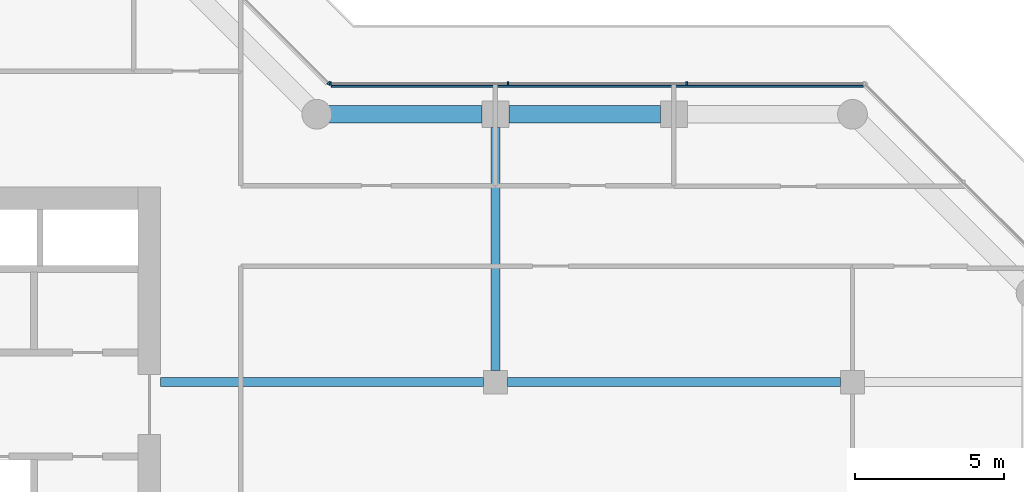
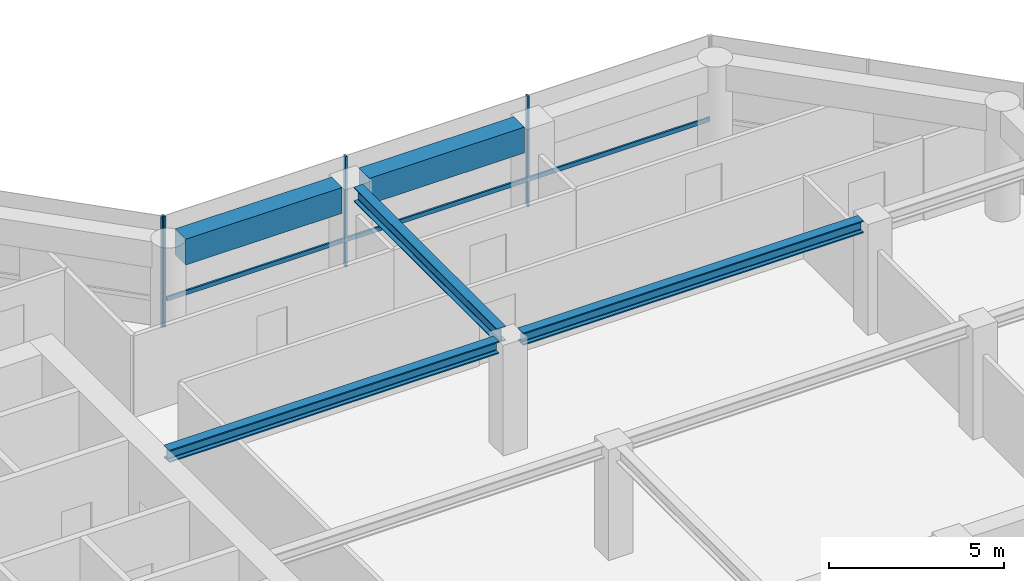
# One storey, part 8 of 24: 5 beams, 5 members, 2 elements without a shape of their own.
"""IFC4 building model written with IfcOpenShell, lengths in metres."""

from ifc_helpers import new_model, si_unit, direction, frame, origin, origin_2d, place, context, subcontext, project, spatial, rectangle, i_section, extrude, material, layer, layer_set, material_profile, profile_set, type_object, element, aggregate, save


model = new_model("IFC4")

# Units and contexts
model_context = context("Model", 3, precision=1e-05, world=origin(), true_north=direction((0.0, 1.0)))
body_context = subcontext(model_context, "Body", "Model", "MODEL_VIEW")
ifc_project = project(units=[si_unit("LENGTHUNIT", "METRE"), si_unit("AREAUNIT", "SQUARE_METRE"), si_unit("VOLUMEUNIT", "CUBIC_METRE"), si_unit("PLANEANGLEUNIT", "RADIAN"), si_unit("MASSUNIT", "GRAM", prefix="KILO")], contexts=[model_context])

# Site, building, storey
site_placement = place(None, origin())
site = spatial("IfcSite", under=ifc_project, at=site_placement, CompositionType="ELEMENT")
building_placement = place(site_placement, origin())
building = spatial("IfcBuilding", under=site, at=building_placement, Name="Welwitschia Terrace Campus", CompositionType="ELEMENT")
storey_placement = place(building_placement, frame((0.0, 0.0, 125.60009765625)))
storey = spatial("IfcBuildingStorey", under=building, at=storey_placement, Name="L28", CompositionType="ELEMENT", Elevation=125.60009765625)

# Beams
ifc_material_1 = material(Name="Steel S355", Category="steel")
ifc_material_profile_1 = material_profile(ifc_material_1, i_section(OverallWidth=0.306884765625, OverallDepth=0.431884765625, WebThickness=0.02099609375, FlangeThickness=0.0400390625, FilletRadius=0.027099609375, at=origin_2d()))
ifc_profile_set_1 = profile_set([ifc_material_profile_1], Name="Steel S355")
beam_type_1 = type_object("IfcBeamType", Name="Interior girder HE 400 M", PredefinedType="BEAM", material=ifc_profile_set_1)
beam_1_placement = place(storey_placement, frame((24.7509765625, 19.0, 3.6337890625), z_axis=(1.0, 0.0, 0.0), x_axis=(0.0, 1.0, 0.0)))
element("IfcBeam", 1, at=beam_1_placement, inside=storey, type_object=beam_type_1, Name="Girder GB3", PredefinedType="BEAM", context=body_context, shape_type="SweptSolid", body=[
    extrude(i_section(OverallWidth=0.306884765625, OverallDepth=0.431884765625, WebThickness=0.02099609375, FlangeThickness=0.0400390625, FilletRadius=0.027099609375, at=origin_2d()), origin(), (0.0, 0.0, 1.0), 10.8486328125),
])
beam_2_placement = place(storey_placement, frame((36.400390625, 19.0, 3.6337890625), z_axis=(1.0, 0.0, 0.0), x_axis=(0.0, 1.0, 0.0)))
element("IfcBeam", 2, at=beam_2_placement, inside=storey, type_object=beam_type_1, Name="Girder GB3", PredefinedType="BEAM", context=body_context, shape_type="SweptSolid", body=[
    extrude(i_section(OverallWidth=0.306884765625, OverallDepth=0.431884765625, WebThickness=0.02099609375, FlangeThickness=0.0400390625, FilletRadius=0.027099609375, at=origin_2d()), origin(), (0.0, 0.0, 1.0), 11.19921875),
])

# Curtain wall, members
ifc_material_2 = material(Name="Bronze anodised aluminium", Category="aluminium")
ifc_layer = layer(ifc_material_2, 0.1201171875)
ifc_layer_set = layer_set([ifc_layer], Name="Bronze anodised aluminium")
curtain_wall_type = type_object("IfcCurtainWallType", Name="Curtain wall CW2 tower 6000", PredefinedType="NOTDEFINED", material=ifc_layer_set)
curtain_wall_1_placement = place(storey_placement, origin())
curtain_wall_1 = element("IfcCurtainWall", 3, at=curtain_wall_1_placement, inside=storey, type_object=curtain_wall_type, Name="CW L28.8.0", PredefinedType="NOTDEFINED")
ifc_material_3 = material(Name="Bronze anodised aluminium", Category="aluminium")
ifc_material_profile_2 = material_profile(ifc_material_3, rectangle(XDim=0.1201171875, YDim=0.06005859375, at=origin_2d()))
ifc_profile_set_2 = profile_set([ifc_material_profile_2], Name="Bronze anodised aluminium")
member_type_1 = type_object("IfcMemberType", Name="Mullion 60x120", PredefinedType="MULLION", material=ifc_profile_set_2)
member_1_placement = place(storey_placement, frame((42.4267578125, 29.030029296875, 0.0), z_axis=(0.0, 0.0, 1.0), x_axis=(0.0, -1.0, 0.0)))
member_1 = element("IfcMember", 4, at=member_1_placement, type_object=member_type_1, Name="Mullion L28.8.0.1", PredefinedType="MULLION", context=body_context, shape_type="SweptSolid", body=[
    extrude(rectangle(XDim=0.1201171875, YDim=0.06005859375, at=origin_2d()), origin(), (0.0, 0.0, 1.0), 3.849853515625),
])
member_2_placement = place(storey_placement, frame((36.4267578125, 29.030029296875, 0.0), z_axis=(0.0, 0.0, 1.0), x_axis=(0.0, -1.0, 0.0)))
member_2 = element("IfcMember", 5, at=member_2_placement, type_object=member_type_1, Name="Mullion L28.8.0.2", PredefinedType="MULLION", context=body_context, shape_type="SweptSolid", body=[
    extrude(rectangle(XDim=0.1201171875, YDim=0.06005859375, at=origin_2d()), origin(), (0.0, 0.0, 1.0), 3.849853515625),
])
member_3_placement = place(storey_placement, frame((30.45654296875, 29.030029296875, 0.0), z_axis=(0.0, 0.0, 1.0), x_axis=(0.0, -1.0, 0.0)))
member_3 = element("IfcMember", 6, at=member_3_placement, type_object=member_type_1, Name="Mullion L28.8.0.3", PredefinedType="MULLION", context=body_context, shape_type="SweptSolid", body=[
    extrude(rectangle(XDim=0.1201171875, YDim=0.06005859375, at=origin_2d()), origin(), (0.0, 0.0, 1.0), 3.849853515625),
])

# Curtain wall, member
curtain_wall_2_placement = place(storey_placement, origin())
curtain_wall_2 = element("IfcCurtainWall", 7, at=curtain_wall_2_placement, inside=storey, type_object=curtain_wall_type, Name="CW L28.9.0", PredefinedType="NOTDEFINED")
member_4_placement = place(storey_placement, frame((30.405517578125, 29.05126953125, 0.0), z_axis=(0.0, 0.0, 1.0), x_axis=(-0.707106781187, -0.707106781187, 0.0)))
member_4 = element("IfcMember", 8, at=member_4_placement, type_object=member_type_1, Name="Mullion L28.9.0.0", PredefinedType="MULLION", context=body_context, shape_type="SweptSolid", body=[
    extrude(rectangle(XDim=0.1201171875, YDim=0.06005859375, at=origin_2d()), origin(), (0.0, 0.0, 1.0), 3.849853515625),
])
aggregate(curtain_wall_2, [member_4])

# Beams
ifc_material_4 = material(Name="Steel S355", Category="steel")
ifc_material_profile_3 = material_profile(ifc_material_4, i_section(OverallWidth=0.300048828125, OverallDepth=0.5, WebThickness=0.014404296875, FlangeThickness=0.028076171875, FilletRadius=0.027099609375, at=origin_2d()))
ifc_profile_set_3 = profile_set([ifc_material_profile_3], Name="Steel S355")
beam_type_2 = type_object("IfcBeamType", Name="Primary beam HE 500 B", PredefinedType="BEAM", material=ifc_profile_set_3)
beam_3_placement = place(storey_placement, frame((36.0, 27.549560546875, 3.599853515625), z_axis=(0.0, -1.0, 0.0), x_axis=(1.0, 0.0, 0.0)))
element("IfcBeam", 9, at=beam_3_placement, inside=storey, type_object=beam_type_2, Name="Primary beam PB3", PredefinedType="BEAM", context=body_context, shape_type="SweptSolid", body=[
    extrude(i_section(OverallWidth=0.300048828125, OverallDepth=0.5, WebThickness=0.014404296875, FlangeThickness=0.028076171875, FilletRadius=0.027099609375, at=origin_2d()), origin(), (0.0, 0.0, 1.0), 8.149169921875),
])
ifc_material_5 = material(Name="Concrete C60/75", Category="concrete")
ifc_material_profile_4 = material_profile(ifc_material_5, rectangle(XDim=0.60009765625, YDim=0.89990234375, at=origin_2d()))
ifc_profile_set_4 = profile_set([ifc_material_profile_4], Name="Concrete C60/75")
beam_type_3 = type_object("IfcBeamType", Name="Ring spandrel 600x900", PredefinedType="SPANDREL", material=ifc_profile_set_4)
beam_4_placement = place(storey_placement, frame((41.549560546875, 28.0, 3.39990234375), z_axis=(-1.0, 0.0, 0.0), x_axis=(0.0, -1.0, 0.0)))
element("IfcBeam", 10, at=beam_4_placement, inside=storey, type_object=beam_type_3, Name="Spandrel SP2", PredefinedType="SPANDREL", context=body_context, shape_type="SweptSolid", body=[
    extrude(rectangle(XDim=0.60009765625, YDim=0.89990234375, at=origin_2d()), origin(), (0.0, 0.0, 1.0), 5.09912109375),
])
beam_5_placement = place(storey_placement, frame((35.549560546875, 28.0, 3.39990234375), z_axis=(-1.0, 0.0, 0.0), x_axis=(0.0, -1.0, 0.0)))
element("IfcBeam", 11, at=beam_5_placement, inside=storey, type_object=beam_type_3, Name="Spandrel SP2", PredefinedType="SPANDREL", context=body_context, shape_type="SweptSolid", body=[
    extrude(rectangle(XDim=0.60009765625, YDim=0.89990234375, at=origin_2d()), origin(), (0.0, 0.0, 1.0), 5.149169921875),
])

# Member
ifc_material_6 = material(Name="Bronze anodised aluminium", Category="aluminium")
ifc_material_profile_5 = material_profile(ifc_material_6, rectangle(XDim=0.06005859375, YDim=0.14990234375, at=origin_2d()))
ifc_profile_set_5 = profile_set([ifc_material_profile_5], Name="Bronze anodised aluminium")
member_type_2 = type_object("IfcMemberType", Name="Transom 60x150", PredefinedType="USERDEFINED", material=ifc_profile_set_5)
member_5_placement = place(storey_placement, frame((48.36669921875, 28.93994140625, 1.0), z_axis=(-1.0, 0.0, 0.0), x_axis=(0.0, -1.0, 0.0)))
member_5 = element("IfcMember", 12, at=member_5_placement, type_object=member_type_2, Name="Transom L28.8.0", ObjectType="TRANSOM", PredefinedType="USERDEFINED", context=body_context, shape_type="SweptSolid", body=[
    extrude(rectangle(XDim=0.06005859375, YDim=0.14990234375, at=origin_2d()), origin(), (0.0, 0.0, 1.0), 17.880126953125),
])

aggregate(curtain_wall_1, [member_1, member_2, member_3, member_5])

save(model, "model.ifc")
